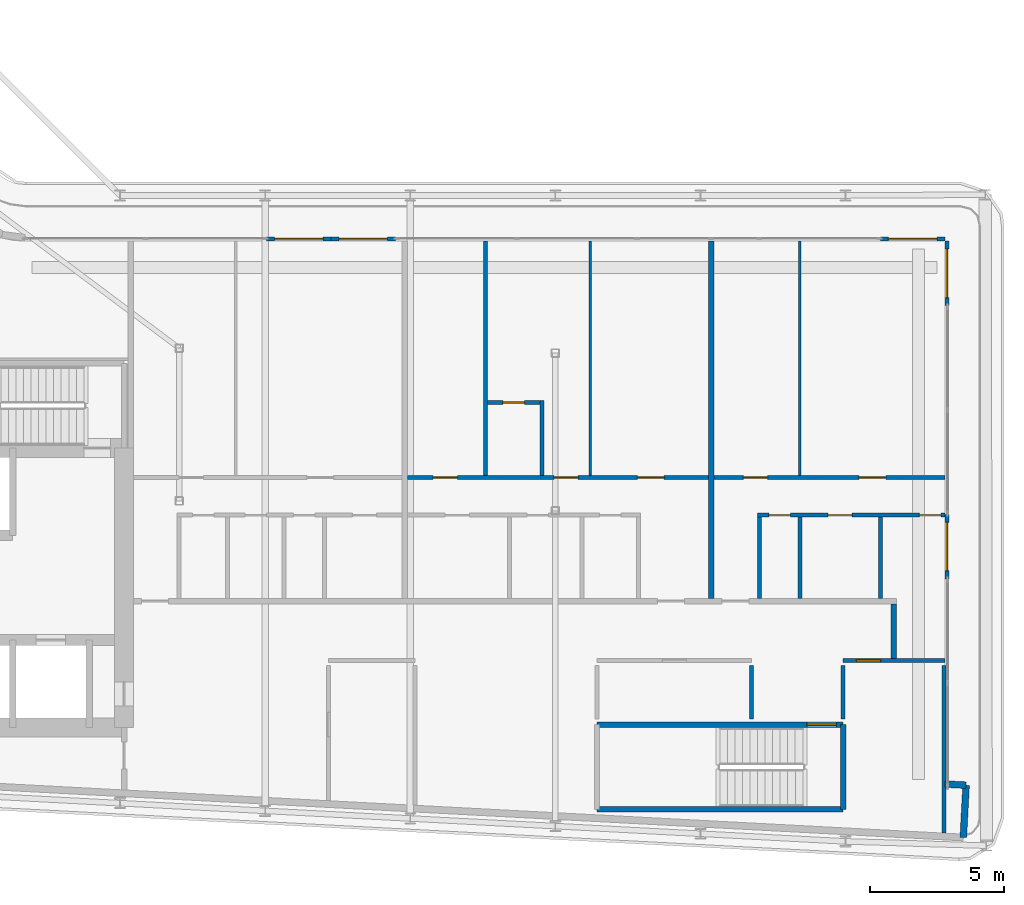
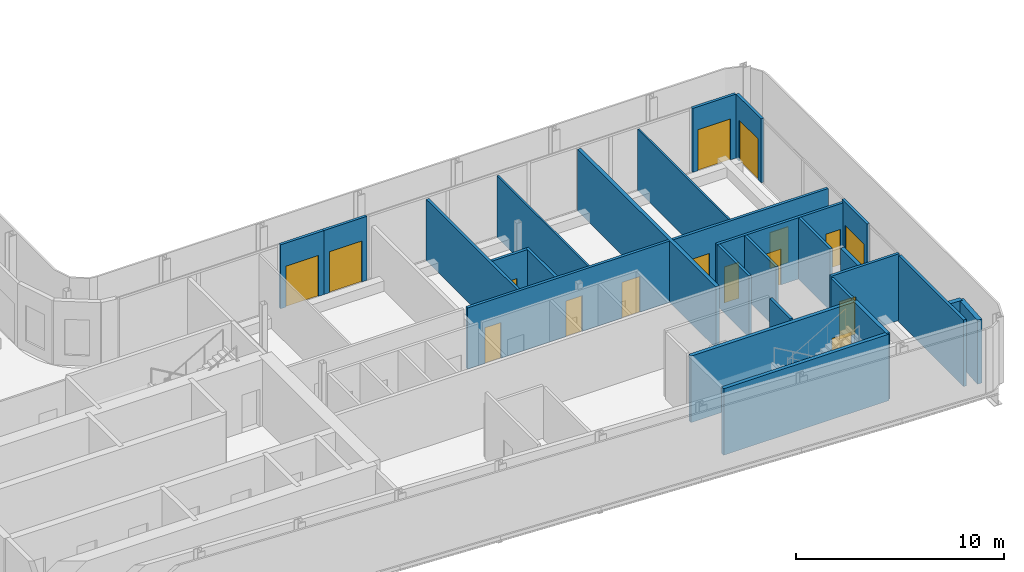
# One storey, part 12 of 22: 27 walls, 16 doors, 16 openings.
"""IFC4 building model written with IfcOpenShell, lengths in metres."""

from ifc_helpers import new_model, si_unit, direction, frame, frame_2d, origin, place, context, subcontext, project, spatial, rectangle, extrude, source, transform, mapped, material, layer, layer_set, type_object, element, fill, save


model = new_model("IFC4")

# Units and contexts
model_context = context("Model", 3, precision=1e-05, world=origin(), true_north=direction((0.0, 1.0)))
body_context = subcontext(model_context, "Body", "Model", "MODEL_VIEW")
ifc_project = project(units=[si_unit("LENGTHUNIT", "METRE"), si_unit("AREAUNIT", "SQUARE_METRE"), si_unit("VOLUMEUNIT", "CUBIC_METRE"), si_unit("PLANEANGLEUNIT", "RADIAN"), si_unit("MASSUNIT", "GRAM", prefix="KILO")], contexts=[model_context])

# Site, building, storey
site_placement = place(None, origin())
site = spatial("IfcSite", under=ifc_project, at=site_placement, CompositionType="ELEMENT")
building_placement = place(site_placement, origin())
building = spatial("IfcBuilding", under=site, at=building_placement, Name="Kheshtan School and Residences Tower", CompositionType="ELEMENT")
storey_placement = place(building_placement, frame((0.0, 0.0, 255.199951171875)))
storey = spatial("IfcBuildingStorey", under=building, at=storey_placement, Name="L60", CompositionType="ELEMENT", Elevation=255.199951171875)

# Walls
ifc_material_1 = material(Name="Gypsum board on steel studs with fire boards", Category="steel")
ifc_layer_1 = layer(ifc_material_1, 0.199951171875)
ifc_layer_set_1 = layer_set([ifc_layer_1], Name="Corridor wall 200")
wall_type_1 = type_object("IfcWallType", Name="Corridor wall 200", PredefinedType="PARTITIONING", material=ifc_layer_set_1)
wall_1_placement = place(storey_placement, frame((81.800048828125, 28.3740234375, 0.0), z_axis=(0.0, 0.0, 1.0), x_axis=(0.0, 1.0, 0.0)))
element("IfcWall", 1, at=wall_1_placement, inside=storey, type_object=wall_type_1, Name="Partition L60-056", PredefinedType="PARTITIONING", context=body_context, shape_type="SweptSolid", body=[
    extrude(rectangle(XDim=2.02587890625, YDim=0.199951171875, at=frame_2d((1.012939453125, 0.0))), origin(), (0.0, 0.0, 1.0), 3.60009765625),
])
ifc_material_2 = material(Name="Concrete C40/50 with ceramic cladding and mineral wool insulation", Category="concrete")
ifc_layer_2 = layer(ifc_material_2, 0.25)
ifc_layer_set_2 = layer_set([ifc_layer_2], Name="External wall 250 ceramic clad")
wall_type_2 = type_object("IfcWallType", Name="External wall 250 ceramic clad", PredefinedType="SOLIDWALL", material=ifc_layer_set_2)
wall_2_placement = place(storey_placement, frame((83.70703125, 23.69189453125, 0.0), z_axis=(0.0, 0.0, 1.0), x_axis=(0.998561284263, -0.053622398031, 0.0)))
element("IfcWall", 2, at=wall_2_placement, inside=storey, type_object=wall_type_2, Name="External wall L60 14", PredefinedType="SOLIDWALL", context=body_context, shape_type="SweptSolid", body=[
    extrude(rectangle(XDim=0.783203125, YDim=0.25, at=frame_2d((0.3916015625, 0.0))), origin(), (0.0, 0.0, 1.0), 3.75),
])
wall_3_placement = place(storey_placement, frame((84.489013671875, 23.64990234375, 0.0), z_axis=(0.0, 0.0, 1.0), x_axis=(-0.052841433274, -0.998602915542, 0.0)))
element("IfcWall", 3, at=wall_3_placement, inside=storey, type_object=wall_type_2, Name="External wall L60 15", PredefinedType="SOLIDWALL", context=body_context, shape_type="SweptSolid", body=[
    extrude(rectangle(XDim=1.94970703125, YDim=0.25, at=frame_2d((0.974853515625, 0.0))), origin(), (0.0, 0.0, 1.0), 3.75),
])

# Wall, opening, door
ifc_material_3 = material(Name="Aluminium frame wall with insulated infill", Category="aluminium")
ifc_layer_3 = layer(ifc_material_3, 0.14990234375)
ifc_layer_set_3 = layer_set([ifc_layer_3], Name="Glazing frame wall 150")
wall_type_3 = type_object("IfcWallType", Name="Glazing frame wall 150", PredefinedType="SOLIDWALL", material=ifc_layer_set_3)
wall_4_placement = place(storey_placement, frame((58.452880859375, 43.97509765625, 0.0), z_axis=(0.0, 0.0, 1.0), x_axis=(1.0, 0.0, 0.0)))
wall_4 = element("IfcWall", 4, at=wall_4_placement, inside=storey, type_object=wall_type_3, Name="Balcony door wall L60 12.1", PredefinedType="SOLIDWALL", context=body_context, shape_type="SweptSolid", body=[
    extrude(rectangle(XDim=2.400146484375, YDim=0.14990234375, at=frame_2d((1.2001953125, 0.0))), origin(), (0.0, 0.0, 1.0), 3.75),
])
opening_1_placement = place(wall_4_placement, frame((0.300048828125, 0.0, 0.0)))
opening_1 = element("IfcOpeningElement", 5, at=opening_1_placement, cuts=wall_4, Name="Opening BD", PredefinedType="OPENING", context=body_context, shape_type="SweptSolid", body=[
    extrude(rectangle(XDim=1.800048828125, YDim=2.39990234375, at=frame_2d((0.89990234375, 1.199951171875))), frame((0.0, 0.0849609375, 0.0), z_axis=(0.0, -1.0, 0.0), x_axis=(1.0, 0.0, 0.0)), (0.0, 0.0, 1.0), 0.169921875),
])
ifc_material_4 = material(Name="Clear low-e glass in thermally broken aluminium frame", Category="aluminium")
door_type_1 = type_object("IfcDoorType", Name="Balcony sliding door", OperationType="SLIDING_TO_LEFT", PredefinedType="DOOR", material=ifc_material_4)
shared_shape_1 = source(origin(), body_context, "Body", "SweptSolid", [
    extrude(rectangle(XDim=1.800048828125, YDim=2.39990234375, at=frame_2d((0.89990234375, 1.199951171875))), frame((0.0, 0.02490234375, 0.0), z_axis=(0.0, -1.0, 0.0), x_axis=(1.0, 0.0, 0.0)), (0.0, 0.0, 1.0), 0.050048828125),
])
door_1_placement = place(opening_1_placement, origin())
door_1 = element("IfcDoor", 6, at=door_1_placement, inside=storey, type_object=door_type_1, Name="Balcony door L60 12.1", OperationType="SLIDING_TO_LEFT", OverallHeight=2.39990234375, OverallWidth=1.800048828125, PredefinedType="DOOR", context=body_context, shape_type="MappedRepresentation", body=[
    mapped(shared_shape_1, transform((0.0, 0.0, 0.0), x_axis=(1.0, 0.0, 0.0), y_axis=(0.0, 1.0, 0.0), z_axis=(0.0, 0.0, 1.0), scale=1.0)),
])
fill(opening_1, door_1)

wall_5_placement = place(storey_placement, frame((60.85302734375, 43.97509765625, 0.0), z_axis=(0.0, 0.0, 1.0), x_axis=(1.0, 0.0, 0.0)))
wall_5 = element("IfcWall", 7, at=wall_5_placement, inside=storey, type_object=wall_type_3, Name="Balcony door wall L60 12.2", PredefinedType="SOLIDWALL", context=body_context, shape_type="SweptSolid", body=[
    extrude(rectangle(XDim=2.39990234375, YDim=0.14990234375, at=frame_2d((1.199951171875, 0.0))), origin(), (0.0, 0.0, 1.0), 3.75),
])
opening_2_placement = place(wall_5_placement, frame((0.300048828125, 0.0, 0.0)))
opening_2 = element("IfcOpeningElement", 8, at=opening_2_placement, cuts=wall_5, Name="Opening BD", PredefinedType="OPENING", context=body_context, shape_type="SweptSolid", body=[
    extrude(rectangle(XDim=1.800048828125, YDim=2.39990234375, at=frame_2d((0.89990234375, 1.199951171875))), frame((0.0, 0.0849609375, 0.0), z_axis=(0.0, -1.0, 0.0), x_axis=(1.0, 0.0, 0.0)), (0.0, 0.0, 1.0), 0.169921875),
])
door_2_placement = place(opening_2_placement, origin())
door_2 = element("IfcDoor", 9, at=door_2_placement, inside=storey, type_object=door_type_1, Name="Balcony door L60 12.2", OperationType="SLIDING_TO_LEFT", OverallHeight=2.39990234375, OverallWidth=1.800048828125, PredefinedType="DOOR", context=body_context, shape_type="MappedRepresentation", body=[
    mapped(shared_shape_1, transform((0.0, 0.0, 0.0), x_axis=(1.0, 0.0, 0.0), y_axis=(0.0, 1.0, 0.0), z_axis=(0.0, 0.0, 1.0), scale=1.0)),
])
fill(opening_2, door_2)

wall_6_placement = place(storey_placement, frame((81.300048828125, 43.97509765625, 0.0), z_axis=(0.0, 0.0, 1.0), x_axis=(1.0, 0.0, 0.0)))
wall_6 = element("IfcWall", 10, at=wall_6_placement, inside=storey, type_object=wall_type_3, Name="Balcony door wall L60 12.3", PredefinedType="SOLIDWALL", context=body_context, shape_type="SweptSolid", body=[
    extrude(rectangle(XDim=2.39990234375, YDim=0.14990234375, at=frame_2d((1.199951171875, 0.0))), origin(), (0.0, 0.0, 1.0), 3.75),
])
opening_3_placement = place(wall_6_placement, frame((0.300048828125, 0.0, 0.0)))
opening_3 = element("IfcOpeningElement", 11, at=opening_3_placement, cuts=wall_6, Name="Opening BD", PredefinedType="OPENING", context=body_context, shape_type="SweptSolid", body=[
    extrude(rectangle(XDim=1.800048828125, YDim=2.39990234375, at=frame_2d((0.89990234375, 1.199951171875))), frame((0.0, 0.0849609375, 0.0), z_axis=(0.0, -1.0, 0.0), x_axis=(1.0, 0.0, 0.0)), (0.0, 0.0, 1.0), 0.169921875),
])
door_3_placement = place(opening_3_placement, origin())
door_3 = element("IfcDoor", 12, at=door_3_placement, inside=storey, type_object=door_type_1, Name="Balcony door L60 12.3", OperationType="SLIDING_TO_LEFT", OverallHeight=2.39990234375, OverallWidth=1.800048828125, PredefinedType="DOOR", context=body_context, shape_type="MappedRepresentation", body=[
    mapped(shared_shape_1, transform((0.0, 0.0, 0.0), x_axis=(1.0, 0.0, 0.0), y_axis=(0.0, 1.0, 0.0), z_axis=(0.0, 0.0, 1.0), scale=1.0)),
])
fill(opening_3, door_3)

wall_7_placement = place(storey_placement, frame((83.77490234375, 43.89990234375, 0.0), z_axis=(0.0, 0.0, 1.0), x_axis=(0.0, -1.0, 0.0)))
wall_7 = element("IfcWall", 13, at=wall_7_placement, inside=storey, type_object=wall_type_3, Name="Balcony door wall L60 13.1", PredefinedType="SOLIDWALL", context=body_context, shape_type="SweptSolid", body=[
    extrude(rectangle(XDim=2.39990234375, YDim=0.14990234375, at=frame_2d((1.199951171875, 0.0))), origin(), (0.0, 0.0, 1.0), 3.75),
])
opening_4_placement = place(wall_7_placement, frame((0.300048828125, 0.0, 0.0)))
opening_4 = element("IfcOpeningElement", 14, at=opening_4_placement, cuts=wall_7, Name="Opening BD", PredefinedType="OPENING", context=body_context, shape_type="SweptSolid", body=[
    extrude(rectangle(XDim=1.800048828125, YDim=2.39990234375, at=frame_2d((0.89990234375, 1.199951171875))), frame((0.0, 0.0849609375, 0.0), z_axis=(0.0, -1.0, 0.0), x_axis=(1.0, 0.0, 0.0)), (0.0, 0.0, 1.0), 0.169921875),
])
door_4_placement = place(opening_4_placement, origin())
door_4 = element("IfcDoor", 15, at=door_4_placement, inside=storey, type_object=door_type_1, Name="Balcony door L60 13.1", OperationType="SLIDING_TO_LEFT", OverallHeight=2.39990234375, OverallWidth=1.800048828125, PredefinedType="DOOR", context=body_context, shape_type="MappedRepresentation", body=[
    mapped(shared_shape_1, transform((0.0, 0.0, 0.0), x_axis=(1.0, 0.0, 0.0), y_axis=(0.0, 1.0, 0.0), z_axis=(0.0, 0.0, 1.0), scale=1.0)),
])
fill(opening_4, door_4)

wall_8_placement = place(storey_placement, frame((83.77490234375, 33.73291015625, 0.0), z_axis=(0.0, 0.0, 1.0), x_axis=(0.0, -1.0, 0.0)))
wall_8 = element("IfcWall", 16, at=wall_8_placement, inside=storey, type_object=wall_type_3, Name="Balcony door wall L60 13.2", PredefinedType="SOLIDWALL", context=body_context, shape_type="SweptSolid", body=[
    extrude(rectangle(XDim=2.39892578125, YDim=0.14990234375, at=frame_2d((1.199462890625, 0.0))), origin(), (0.0, 0.0, 1.0), 3.75),
])
opening_5_placement = place(wall_8_placement, frame((0.300048828125, 0.0, 0.0)))
opening_5 = element("IfcOpeningElement", 17, at=opening_5_placement, cuts=wall_8, Name="Opening BD", PredefinedType="OPENING", context=body_context, shape_type="SweptSolid", body=[
    extrude(rectangle(XDim=1.800048828125, YDim=2.39990234375, at=frame_2d((0.89990234375, 1.199951171875))), frame((0.0, 0.0849609375, 0.0), z_axis=(0.0, -1.0, 0.0), x_axis=(1.0, 0.0, 0.0)), (0.0, 0.0, 1.0), 0.169921875),
])
door_5_placement = place(opening_5_placement, origin())
door_5 = element("IfcDoor", 18, at=door_5_placement, inside=storey, type_object=door_type_1, Name="Balcony door L60 13.2", OperationType="SLIDING_TO_LEFT", OverallHeight=2.39990234375, OverallWidth=1.800048828125, PredefinedType="DOOR", context=body_context, shape_type="MappedRepresentation", body=[
    mapped(shared_shape_1, transform((0.0, 0.0, 0.0), x_axis=(1.0, 0.0, 0.0), y_axis=(0.0, 1.0, 0.0), z_axis=(0.0, 0.0, 1.0), scale=1.0)),
])
fill(opening_5, door_5)

# Walls
ifc_material_5 = material(Name="Gypsum board on steel studs", Category="steel")
ifc_layer_4 = layer(ifc_material_5, 0.10009765625)
ifc_layer_set_4 = layer_set([ifc_layer_4], Name="Gypsum partition 100")
wall_type_4 = type_object("IfcWallType", Name="Gypsum partition 100", PredefinedType="PARTITIONING", material=ifc_layer_set_4)
for number, where, z_axis, x_axis, name in (
    (19, (70.5, 35.175048828125, 0.0), (0.0, 0.0, 1.0), (0.0, 1.0, 0.0), "Partition L60-047"),
    (20, (78.300048828125, 35.175048828125, 0.0), (0.0, 0.0, 1.0), (0.0, 1.0, 0.0), "Partition L60-054"),
):
    element("IfcWall", number, at=place(storey_placement, frame(where, z_axis=z_axis, x_axis=x_axis)), inside=storey, type_object=wall_type_4, Name=name, PredefinedType="PARTITIONING", context=body_context, shape_type="SweptSolid", body=[
        extrude(rectangle(XDim=8.724853515625, YDim=0.10009765625, at=frame_2d((4.3623046875, 0.0))), origin(), (0.0, 0.0, 1.0), 3.60009765625),
    ])
ifc_material_6 = material(Name="Fire-board shaft wall system")
ifc_layer_5 = layer(ifc_material_6, 0.14990234375)
ifc_layer_set_5 = layer_set([ifc_layer_5], Name="Service room wall 150")
wall_type_5 = type_object("IfcWallType", Name="Service room wall 150", PredefinedType="PARTITIONING", material=ifc_layer_set_5)
wall_9_placement = place(storey_placement, frame((76.510009765625, 26.1201171875, 0.0), z_axis=(0.0, 0.0, 1.0), x_axis=(0.0, 1.0, 0.0)))
element("IfcWall", 21, at=wall_9_placement, inside=storey, type_object=wall_type_5, Name="Service room wall", PredefinedType="PARTITIONING", context=body_context, shape_type="SweptSolid", body=[
    extrude(rectangle(XDim=1.98486328125, YDim=0.14990234375, at=frame_2d((0.992431640625, 0.0))), origin(), (0.0, 0.0, 1.0), 3.900146484375),
])

# Wall, opening, door
wall_10_placement = place(storey_placement, frame((79.909912109375, 28.300048828125, 0.0), z_axis=(0.0, 0.0, 1.0), x_axis=(1.0, 0.0, 0.0)))
wall_10 = element("IfcWall", 22, at=wall_10_placement, inside=storey, type_object=wall_type_5, Name="Service room wall", PredefinedType="PARTITIONING", context=body_context, shape_type="SweptSolid", body=[
    extrude(rectangle(XDim=3.7880859375, YDim=0.14990234375, at=frame_2d((1.89404296875, 0.0))), origin(), (0.0, 0.0, 1.0), 3.900146484375),
])
opening_6_placement = place(wall_10_placement, frame((0.4951171875, 0.0, 0.0)))
opening_6 = element("IfcOpeningElement", 23, at=opening_6_placement, cuts=wall_10, Name="Opening SR90", PredefinedType="OPENING", context=body_context, shape_type="SweptSolid", body=[
    extrude(rectangle(XDim=0.89990234375, YDim=2.199951171875, at=frame_2d((0.449951171875, 1.10009765625))), frame((0.0, 0.0849609375, 0.0), z_axis=(0.0, -1.0, 0.0), x_axis=(1.0, 0.0, 0.0)), (0.0, 0.0, 1.0), 0.169921875),
])
ifc_material_7 = material(Name="Steel door leaf, galvanised", Category="steel")
door_type_2 = type_object("IfcDoorType", Name="Service room door 900 steel 90 min", OperationType="SINGLE_SWING_LEFT", PredefinedType="DOOR", material=ifc_material_7)
shared_shape_2 = source(origin(), body_context, "Body", "SweptSolid", [
    extrude(rectangle(XDim=0.89990234375, YDim=2.199951171875, at=frame_2d((0.449951171875, 1.10009765625))), frame((0.0, 0.02490234375, 0.0), z_axis=(0.0, -1.0, 0.0), x_axis=(1.0, 0.0, 0.0)), (0.0, 0.0, 1.0), 0.050048828125),
])
door_6_placement = place(opening_6_placement, origin())
door_6 = element("IfcDoor", 24, at=door_6_placement, inside=storey, type_object=door_type_2, Name="Service room door", OperationType="SINGLE_SWING_RIGHT", OverallHeight=2.199951171875, OverallWidth=0.89990234375, PredefinedType="DOOR", context=body_context, shape_type="MappedRepresentation", body=[
    mapped(shared_shape_2, transform((0.0, 0.0, 0.0), x_axis=(1.0, 0.0, 0.0), y_axis=(0.0, 1.0, 0.0), z_axis=(0.0, 0.0, 1.0), scale=1.0)),
])
fill(opening_6, door_6)

# Walls
wall_11_placement = place(storey_placement, frame((79.909912109375, 26.1201171875, 0.0), z_axis=(0.0, 0.0, 1.0), x_axis=(0.0, 1.0, 0.0)))
element("IfcWall", 25, at=wall_11_placement, inside=storey, type_object=wall_type_5, Name="Service room wall", PredefinedType="PARTITIONING", context=body_context, shape_type="SweptSolid", body=[
    extrude(rectangle(XDim=1.98486328125, YDim=0.14990234375, at=frame_2d((0.992431640625, 0.0))), origin(), (0.0, 0.0, 1.0), 3.900146484375),
])
wall_12_placement = place(storey_placement, frame((83.669921875, 21.867919921875, 0.0), z_axis=(0.0, 0.0, 1.0), x_axis=(0.0, 1.0, 0.0)))
element("IfcWall", 26, at=wall_12_placement, inside=storey, type_object=wall_type_5, Name="Service room wall", PredefinedType="PARTITIONING", context=body_context, shape_type="SweptSolid", body=[
    extrude(rectangle(XDim=6.237060546875, YDim=0.14990234375, at=frame_2d((3.11865234375, 0.0))), origin(), (0.0, 0.0, 1.0), 3.900146484375),
])
ifc_material_8 = material(Name="Concrete C40/50", Category="concrete")
ifc_layer_6 = layer(ifc_material_8, 0.199951171875)
ifc_layer_set_6 = layer_set([ifc_layer_6], Name="Stair enclosure wall 200 Concrete C40/50")
wall_type_6 = type_object("IfcWallType", Name="Stair enclosure wall 200 Concrete C40/50", PredefinedType="SHEAR", material=ifc_layer_set_6)
wall_13_placement = place(storey_placement, frame((70.75, 22.75, 0.0), z_axis=(0.0, 0.0, 1.0), x_axis=(1.0, 0.0, 0.0)))
element("IfcWall", 27, at=wall_13_placement, inside=storey, type_object=wall_type_6, Name="Stair enclosure wall ST5", PredefinedType="SHEAR", context=body_context, shape_type="SweptSolid", body=[
    extrude(rectangle(XDim=9.159912109375, YDim=0.199951171875, at=frame_2d((4.580078125, 0.0))), origin(), (0.0, 0.0, 1.0), 3.900146484375),
])

# Wall, opening, door
wall_14_placement = place(storey_placement, frame((70.75, 25.89990234375, 0.0), z_axis=(0.0, 0.0, 1.0), x_axis=(1.0, 0.0, 0.0)))
wall_14 = element("IfcWall", 28, at=wall_14_placement, inside=storey, type_object=wall_type_6, Name="Stair enclosure wall ST5", PredefinedType="SHEAR", context=body_context, shape_type="SweptSolid", body=[
    extrude(rectangle(XDim=9.159912109375, YDim=0.199951171875, at=frame_2d((4.580078125, 0.0))), origin(), (0.0, 0.0, 1.0), 3.900146484375),
])
opening_7_placement = place(wall_14_placement, frame((7.81005859375, 0.0, 0.0)))
opening_7 = element("IfcOpeningElement", 29, at=opening_7_placement, cuts=wall_14, Name="Opening ST5D", PredefinedType="OPENING", context=body_context, shape_type="SweptSolid", body=[
    extrude(rectangle(XDim=1.10009765625, YDim=2.199951171875, at=frame_2d((0.550048828125, 1.10009765625))), frame((0.0, 0.10986328125, 0.0), z_axis=(0.0, -1.0, 0.0), x_axis=(1.0, 0.0, 0.0)), (0.0, 0.0, 1.0), 0.219970703125),
])
door_type_3 = type_object("IfcDoorType", Name="Stair door 1100 steel 90 min", OperationType="SINGLE_SWING_LEFT", PredefinedType="DOOR", material=ifc_material_7)
shared_shape_3 = source(origin(), body_context, "Body", "SweptSolid", [
    extrude(rectangle(XDim=1.10009765625, YDim=2.199951171875, at=frame_2d((0.550048828125, 1.10009765625))), frame((0.0, 0.02490234375, 0.0), z_axis=(0.0, -1.0, 0.0), x_axis=(1.0, 0.0, 0.0)), (0.0, 0.0, 1.0), 0.050048828125),
])
door_7_placement = place(opening_7_placement, origin())
door_7 = element("IfcDoor", 30, at=door_7_placement, inside=storey, type_object=door_type_3, Name="Stair ST5 door", OperationType="SINGLE_SWING_LEFT", OverallHeight=2.199951171875, OverallWidth=1.10009765625, PredefinedType="DOOR", context=body_context, shape_type="MappedRepresentation", body=[
    mapped(shared_shape_3, transform((0.0, 0.0, 0.0), x_axis=(1.0, 0.0, 0.0), y_axis=(0.0, 1.0, 0.0), z_axis=(0.0, 0.0, 1.0), scale=1.0)),
])
fill(opening_7, door_7)

# Walls
wall_15_placement = place(storey_placement, frame((79.909912109375, 22.75, 0.0), z_axis=(0.0, 0.0, 1.0), x_axis=(0.0, 1.0, 0.0)))
element("IfcWall", 31, at=wall_15_placement, inside=storey, type_object=wall_type_6, Name="Stair enclosure wall ST5", PredefinedType="SHEAR", context=body_context, shape_type="SweptSolid", body=[
    extrude(rectangle(XDim=3.14990234375, YDim=0.199951171875, at=frame_2d((1.574951171875, 0.0))), origin(), (0.0, 0.0, 1.0), 3.900146484375),
])
ifc_material_9 = material(Name="Twin gypsum board on steel studs with mineral wool", Category="steel")
ifc_layer_7 = layer(ifc_material_9, 0.199951171875)
ifc_layer_set_7 = layer_set([ifc_layer_7], Name="Unit demising wall 200")
wall_type_7 = type_object("IfcWallType", Name="Unit demising wall 200", PredefinedType="PARTITIONING", material=ifc_layer_set_7)
wall_16_placement = place(storey_placement, frame((75.0, 30.60009765625, 0.0), z_axis=(0.0, 0.0, 1.0), x_axis=(0.0, 1.0, 0.0)))
element("IfcWall", 32, at=wall_16_placement, inside=storey, type_object=wall_type_7, Name="Partition L60-049", PredefinedType="PARTITIONING", context=body_context, shape_type="SweptSolid", body=[
    extrude(rectangle(XDim=13.2998046875, YDim=0.199951171875, at=frame_2d((6.64990234375, 0.0))), origin(), (0.0, 0.0, 1.0), 3.60009765625),
])

# Wall, openings, doors
ifc_material_10 = material(Name="Moisture-resistant gypsum board on steel studs", Category="steel")
ifc_layer_8 = layer(ifc_material_10, 0.14990234375)
ifc_layer_set_8 = layer_set([ifc_layer_8], Name="Wet-room partition 150")
wall_type_8 = type_object("IfcWallType", Name="Wet-room partition 150", PredefinedType="PARTITIONING", material=ifc_layer_set_8)
wall_17_placement = place(storey_placement, frame((63.699951171875, 35.10009765625, 0.0), z_axis=(0.0, 0.0, 1.0), x_axis=(1.0, 0.0, 0.0)))
wall_17 = element("IfcWall", 33, at=wall_17_placement, inside=storey, type_object=wall_type_8, Name="Partition L60-041", PredefinedType="PARTITIONING", context=body_context, shape_type="SweptSolid", body=[
    extrude(rectangle(XDim=11.199951171875, YDim=0.14990234375, at=frame_2d((5.60009765625, 0.0))), origin(), (0.0, 0.0, 1.0), 3.60009765625),
])
opening_8_placement = place(wall_17_placement, frame((0.949951171875, 0.0, 0.0)))
opening_8 = element("IfcOpeningElement", 34, at=opening_8_placement, cuts=wall_17, Name="Opening D58-009", PredefinedType="OPENING", context=body_context, shape_type="SweptSolid", body=[
    extrude(rectangle(XDim=0.89990234375, YDim=2.10009765625, at=frame_2d((0.449951171875, 1.050048828125))), frame((0.0, 0.0849609375, 0.0), z_axis=(0.0, -1.0, 0.0), x_axis=(1.0, 0.0, 0.0)), (0.0, 0.0, 1.0), 0.169921875),
])
opening_9_placement = place(wall_17_placement, frame((8.550048828125, 0.0, 0.0)))
opening_9 = element("IfcOpeningElement", 35, at=opening_9_placement, cuts=wall_17, Name="Opening D58-013", PredefinedType="OPENING", context=body_context, shape_type="SweptSolid", body=[
    extrude(rectangle(XDim=1.0, YDim=2.10009765625, at=frame_2d((0.5, 1.050048828125))), frame((0.0, 0.0849609375, 0.0), z_axis=(0.0, -1.0, 0.0), x_axis=(1.0, 0.0, 0.0)), (0.0, 0.0, 1.0), 0.169921875),
])
opening_10_placement = place(wall_17_placement, frame((5.449951171875, 0.0, 0.0)))
opening_10 = element("IfcOpeningElement", 36, at=opening_10_placement, cuts=wall_17, Name="Opening D58-014", PredefinedType="OPENING", context=body_context, shape_type="SweptSolid", body=[
    extrude(rectangle(XDim=0.89990234375, YDim=2.10009765625, at=frame_2d((0.449951171875, 1.050048828125))), frame((0.0, 0.0849609375, 0.0), z_axis=(0.0, -1.0, 0.0), x_axis=(1.0, 0.0, 0.0)), (0.0, 0.0, 1.0), 0.169921875),
])
ifc_material_11 = material(Name="Veneered timber door leaf", Category="wood")
door_type_4 = type_object("IfcDoorType", Name="Door 1000 x 2100", OperationType="SINGLE_SWING_LEFT", PredefinedType="DOOR", material=ifc_material_11)
shared_shape_4 = source(origin(), body_context, "Body", "SweptSolid", [
    extrude(rectangle(XDim=1.0, YDim=2.10009765625, at=frame_2d((0.5, 1.050048828125))), frame((0.0, 0.02490234375, 0.0), z_axis=(0.0, -1.0, 0.0), x_axis=(1.0, 0.0, 0.0)), (0.0, 0.0, 1.0), 0.050048828125),
])
door_8_placement = place(opening_9_placement, origin())
door_8 = element("IfcDoor", 37, at=door_8_placement, inside=storey, type_object=door_type_4, Name="Door D58-013", OperationType="SINGLE_SWING_LEFT", OverallHeight=2.10009765625, OverallWidth=1.0, PredefinedType="DOOR", context=body_context, shape_type="MappedRepresentation", body=[
    mapped(shared_shape_4, transform((0.0, 0.0, 0.0), x_axis=(1.0, 0.0, 0.0), y_axis=(0.0, 1.0, 0.0), z_axis=(0.0, 0.0, 1.0), scale=1.0)),
])
fill(opening_9, door_8)
door_type_5 = type_object("IfcDoorType", Name="Door 900 x 2100", OperationType="SINGLE_SWING_LEFT", PredefinedType="DOOR", material=ifc_material_11)
shared_shape_5 = source(origin(), body_context, "Body", "SweptSolid", [
    extrude(rectangle(XDim=0.89990234375, YDim=2.10009765625, at=frame_2d((0.449951171875, 1.050048828125))), frame((0.0, 0.02490234375, 0.0), z_axis=(0.0, -1.0, 0.0), x_axis=(1.0, 0.0, 0.0)), (0.0, 0.0, 1.0), 0.050048828125),
])
door_9_placement = place(opening_8_placement, origin())
door_9 = element("IfcDoor", 38, at=door_9_placement, inside=storey, type_object=door_type_5, Name="Door D58-009", OperationType="SINGLE_SWING_RIGHT", OverallHeight=2.10009765625, OverallWidth=0.89990234375, PredefinedType="DOOR", context=body_context, shape_type="MappedRepresentation", body=[
    mapped(shared_shape_5, transform((0.0, 0.0, 0.0), x_axis=(1.0, 0.0, 0.0), y_axis=(0.0, 1.0, 0.0), z_axis=(0.0, 0.0, 1.0), scale=1.0)),
])
fill(opening_8, door_9)
door_10_placement = place(opening_10_placement, origin())
door_10 = element("IfcDoor", 39, at=door_10_placement, inside=storey, type_object=door_type_5, Name="Door D58-014", OperationType="SINGLE_SWING_LEFT", OverallHeight=2.10009765625, OverallWidth=0.89990234375, PredefinedType="DOOR", context=body_context, shape_type="MappedRepresentation", body=[
    mapped(shared_shape_5, transform((0.0, 0.0, 0.0), x_axis=(1.0, 0.0, 0.0), y_axis=(0.0, 1.0, 0.0), z_axis=(0.0, 0.0, 1.0), scale=1.0)),
])
fill(opening_10, door_10)

# Wall
wall_18_placement = place(storey_placement, frame((66.60009765625, 35.175048828125, 0.0), z_axis=(0.0, 0.0, 1.0), x_axis=(0.0, 1.0, 0.0)))
element("IfcWall", 40, at=wall_18_placement, inside=storey, type_object=wall_type_8, Name="Partition L60-042", PredefinedType="PARTITIONING", context=body_context, shape_type="SweptSolid", body=[
    extrude(rectangle(XDim=8.724853515625, YDim=0.14990234375, at=frame_2d((4.3623046875, 0.0))), origin(), (0.0, 0.0, 1.0), 3.60009765625),
])

# Wall, opening, door
wall_19_placement = place(storey_placement, frame((66.675048828125, 37.89990234375, 0.0), z_axis=(0.0, 0.0, 1.0), x_axis=(1.0, 0.0, 0.0)))
wall_19 = element("IfcWall", 41, at=wall_19_placement, inside=storey, type_object=wall_type_8, Name="Partition L60-043", PredefinedType="PARTITIONING", context=body_context, shape_type="SweptSolid", body=[
    extrude(rectangle(XDim=1.949951171875, YDim=0.14990234375, at=frame_2d((0.97509765625, 0.0))), origin(), (0.0, 0.0, 1.0), 3.60009765625),
])
opening_11_placement = place(wall_19_placement, frame((0.574951171875, 0.0, 0.0)))
opening_11 = element("IfcOpeningElement", 42, at=opening_11_placement, cuts=wall_19, Name="Opening D58-010", PredefinedType="OPENING", context=body_context, shape_type="SweptSolid", body=[
    extrude(rectangle(XDim=0.800048828125, YDim=2.10009765625, at=frame_2d((0.39990234375, 1.050048828125))), frame((0.0, 0.0849609375, 0.0), z_axis=(0.0, -1.0, 0.0), x_axis=(1.0, 0.0, 0.0)), (0.0, 0.0, 1.0), 0.169921875),
])
door_type_6 = type_object("IfcDoorType", Name="Door 800 x 2100", OperationType="SINGLE_SWING_LEFT", PredefinedType="DOOR", material=ifc_material_11)
shared_shape_6 = source(origin(), body_context, "Body", "SweptSolid", [
    extrude(rectangle(XDim=0.800048828125, YDim=2.10009765625, at=frame_2d((0.39990234375, 1.050048828125))), frame((0.0, 0.02490234375, 0.0), z_axis=(0.0, -1.0, 0.0), x_axis=(1.0, 0.0, 0.0)), (0.0, 0.0, 1.0), 0.050048828125),
])
door_11_placement = place(opening_11_placement, origin())
door_11 = element("IfcDoor", 43, at=door_11_placement, inside=storey, type_object=door_type_6, Name="Door D58-010", OperationType="SINGLE_SWING_LEFT", OverallHeight=2.10009765625, OverallWidth=0.800048828125, PredefinedType="DOOR", context=body_context, shape_type="MappedRepresentation", body=[
    mapped(shared_shape_6, transform((0.0, 0.0, 0.0), x_axis=(1.0, 0.0, 0.0), y_axis=(0.0, 1.0, 0.0), z_axis=(0.0, 0.0, 1.0), scale=1.0)),
])
fill(opening_11, door_11)

# Wall
wall_20_placement = place(storey_placement, frame((68.699951171875, 35.175048828125, 0.0), z_axis=(0.0, 0.0, 1.0), x_axis=(0.0, 1.0, 0.0)))
element("IfcWall", 44, at=wall_20_placement, inside=storey, type_object=wall_type_8, Name="Partition L60-045", PredefinedType="PARTITIONING", context=body_context, shape_type="SweptSolid", body=[
    extrude(rectangle(XDim=2.800048828125, YDim=0.14990234375, at=frame_2d((1.39990234375, 0.0))), origin(), (0.0, 0.0, 1.0), 3.60009765625),
])

# Wall, openings, doors
wall_21_placement = place(storey_placement, frame((75.10009765625, 35.10009765625, 0.0), z_axis=(0.0, 0.0, 1.0), x_axis=(1.0, 0.0, 0.0)))
wall_21 = element("IfcWall", 45, at=wall_21_placement, inside=storey, type_object=wall_type_8, Name="Partition L60-050", PredefinedType="PARTITIONING", context=body_context, shape_type="SweptSolid", body=[
    extrude(rectangle(XDim=8.599853515625, YDim=0.14990234375, at=frame_2d((4.2998046875, 0.0))), origin(), (0.0, 0.0, 1.0), 3.60009765625),
])
opening_12_placement = place(wall_21_placement, frame((1.10009765625, 0.0, 0.0)))
opening_12 = element("IfcOpeningElement", 46, at=opening_12_placement, cuts=wall_21, Name="Opening D58-017", PredefinedType="OPENING", context=body_context, shape_type="SweptSolid", body=[
    extrude(rectangle(XDim=0.89990234375, YDim=2.10009765625, at=frame_2d((0.449951171875, 1.050048828125))), frame((0.0, 0.0849609375, 0.0), z_axis=(0.0, -1.0, 0.0), x_axis=(1.0, 0.0, 0.0)), (0.0, 0.0, 1.0), 0.169921875),
])
opening_13_placement = place(wall_21_placement, frame((5.39990234375, 0.0, 0.0)))
opening_13 = element("IfcOpeningElement", 47, at=opening_13_placement, cuts=wall_21, Name="Opening D58-020", PredefinedType="OPENING", context=body_context, shape_type="SweptSolid", body=[
    extrude(rectangle(XDim=1.0, YDim=2.10009765625, at=frame_2d((0.5, 1.050048828125))), frame((0.0, 0.0849609375, 0.0), z_axis=(0.0, -1.0, 0.0), x_axis=(1.0, 0.0, 0.0)), (0.0, 0.0, 1.0), 0.169921875),
])
door_12_placement = place(opening_13_placement, origin())
door_12 = element("IfcDoor", 48, at=door_12_placement, inside=storey, type_object=door_type_4, Name="Door D58-020", OperationType="SINGLE_SWING_LEFT", OverallHeight=2.10009765625, OverallWidth=1.0, PredefinedType="DOOR", context=body_context, shape_type="MappedRepresentation", body=[
    mapped(shared_shape_4, transform((0.0, 0.0, 0.0), x_axis=(1.0, 0.0, 0.0), y_axis=(0.0, 1.0, 0.0), z_axis=(0.0, 0.0, 1.0), scale=1.0)),
])
fill(opening_13, door_12)
door_13_placement = place(opening_12_placement, origin())
door_13 = element("IfcDoor", 49, at=door_13_placement, inside=storey, type_object=door_type_5, Name="Door D58-017", OperationType="SINGLE_SWING_RIGHT", OverallHeight=2.10009765625, OverallWidth=0.89990234375, PredefinedType="DOOR", context=body_context, shape_type="MappedRepresentation", body=[
    mapped(shared_shape_5, transform((0.0, 0.0, 0.0), x_axis=(1.0, 0.0, 0.0), y_axis=(0.0, 1.0, 0.0), z_axis=(0.0, 0.0, 1.0), scale=1.0)),
])
fill(opening_12, door_13)

wall_22_placement = place(storey_placement, frame((76.72509765625, 33.699951171875, 0.0), z_axis=(0.0, 0.0, 1.0), x_axis=(1.0, 0.0, 0.0)))
wall_22 = element("IfcWall", 50, at=wall_22_placement, inside=storey, type_object=wall_type_8, Name="Partition L60-051", PredefinedType="PARTITIONING", context=body_context, shape_type="SweptSolid", body=[
    extrude(rectangle(XDim=6.974853515625, YDim=0.14990234375, at=frame_2d((3.4873046875, 0.0))), origin(), (0.0, 0.0, 1.0), 3.60009765625),
])
opening_14_placement = place(wall_22_placement, frame((6.02490234375, 0.0, 0.0)))
opening_14 = element("IfcOpeningElement", 51, at=opening_14_placement, cuts=wall_22, Name="Opening D58-016", PredefinedType="OPENING", context=body_context, shape_type="SweptSolid", body=[
    extrude(rectangle(XDim=0.800048828125, YDim=2.10009765625, at=frame_2d((0.39990234375, 1.050048828125))), frame((0.0, 0.0849609375, 0.0), z_axis=(0.0, -1.0, 0.0), x_axis=(1.0, 0.0, 0.0)), (0.0, 0.0, 1.0), 0.169921875),
])
opening_15_placement = place(wall_22_placement, frame((2.625, 0.0, 0.0)))
opening_15 = element("IfcOpeningElement", 52, at=opening_15_placement, cuts=wall_22, Name="Opening D58-019", PredefinedType="OPENING", context=body_context, shape_type="SweptSolid", body=[
    extrude(rectangle(XDim=0.89990234375, YDim=2.10009765625, at=frame_2d((0.449951171875, 1.050048828125))), frame((0.0, 0.0849609375, 0.0), z_axis=(0.0, -1.0, 0.0), x_axis=(1.0, 0.0, 0.0)), (0.0, 0.0, 1.0), 0.169921875),
])
opening_16_placement = place(wall_22_placement, frame((0.425048828125, 0.0, 0.0)))
opening_16 = element("IfcOpeningElement", 53, at=opening_16_placement, cuts=wall_22, Name="Opening D58-021", PredefinedType="OPENING", context=body_context, shape_type="SweptSolid", body=[
    extrude(rectangle(XDim=0.800048828125, YDim=2.10009765625, at=frame_2d((0.39990234375, 1.050048828125))), frame((0.0, 0.0849609375, 0.0), z_axis=(0.0, -1.0, 0.0), x_axis=(1.0, 0.0, 0.0)), (0.0, 0.0, 1.0), 0.169921875),
])
door_14_placement = place(opening_14_placement, origin())
door_14 = element("IfcDoor", 54, at=door_14_placement, inside=storey, type_object=door_type_6, Name="Door D58-016", OperationType="SINGLE_SWING_LEFT", OverallHeight=2.10009765625, OverallWidth=0.800048828125, PredefinedType="DOOR", context=body_context, shape_type="MappedRepresentation", body=[
    mapped(shared_shape_6, transform((0.0, 0.0, 0.0), x_axis=(1.0, 0.0, 0.0), y_axis=(0.0, 1.0, 0.0), z_axis=(0.0, 0.0, 1.0), scale=1.0)),
])
fill(opening_14, door_14)
door_15_placement = place(opening_16_placement, origin())
door_15 = element("IfcDoor", 55, at=door_15_placement, inside=storey, type_object=door_type_6, Name="Door D58-021", OperationType="SINGLE_SWING_LEFT", OverallHeight=2.10009765625, OverallWidth=0.800048828125, PredefinedType="DOOR", context=body_context, shape_type="MappedRepresentation", body=[
    mapped(shared_shape_6, transform((0.0, 0.0, 0.0), x_axis=(1.0, 0.0, 0.0), y_axis=(0.0, 1.0, 0.0), z_axis=(0.0, 0.0, 1.0), scale=1.0)),
])
fill(opening_16, door_15)
door_16_placement = place(opening_15_placement, origin())
door_16 = element("IfcDoor", 56, at=door_16_placement, inside=storey, type_object=door_type_5, Name="Door D58-019", OperationType="SINGLE_SWING_LEFT", OverallHeight=2.10009765625, OverallWidth=0.89990234375, PredefinedType="DOOR", context=body_context, shape_type="MappedRepresentation", body=[
    mapped(shared_shape_5, transform((0.0, 0.0, 0.0), x_axis=(1.0, 0.0, 0.0), y_axis=(0.0, 1.0, 0.0), z_axis=(0.0, 0.0, 1.0), scale=1.0)),
])
fill(opening_15, door_16)

# Walls
for number, where, z_axis, x_axis, name in (
    (57, (76.800048828125, 30.60009765625, 0.0), (0.0, 0.0, 1.0), (0.0, 1.0, 0.0), "Partition L60-052"),
    (58, (78.300048828125, 30.60009765625, 0.0), (0.0, 0.0, 1.0), (0.0, 1.0, 0.0), "Partition L60-053"),
    (59, (81.300048828125, 30.60009765625, 0.0), (0.0, 0.0, 1.0), (0.0, 1.0, 0.0), "Partition L60-055"),
):
    element("IfcWall", number, at=place(storey_placement, frame(where, z_axis=z_axis, x_axis=x_axis)), inside=storey, type_object=wall_type_8, Name=name, PredefinedType="PARTITIONING", context=body_context, shape_type="SweptSolid", body=[
        extrude(rectangle(XDim=3.02490234375, YDim=0.14990234375, at=frame_2d((1.512451171875, 0.0))), origin(), (0.0, 0.0, 1.0), 3.60009765625),
    ])

save(model, "model.ifc")
